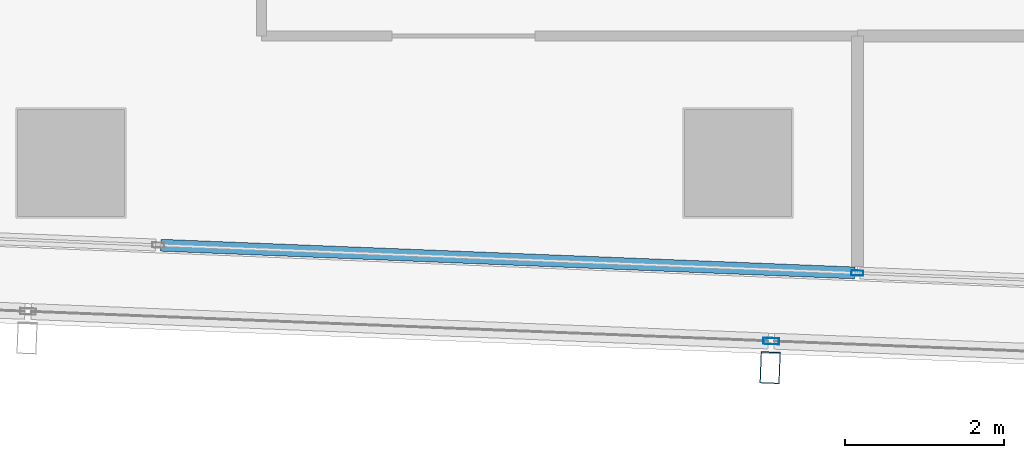
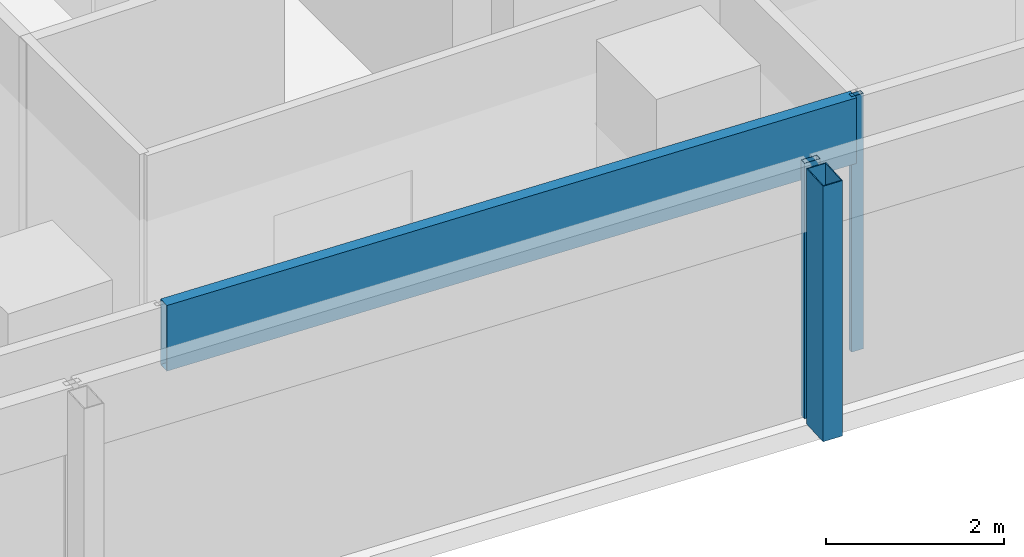
# One storey, part 6 of 35: 4 members, 2 elements without a shape of their own.
"""IFC4 building model written with IfcOpenShell, lengths in metres."""

from ifc_helpers import new_model, si_unit, direction, frame, origin, origin_2d, place, context, subcontext, project, spatial, hollow_rectangle, extrude, material, material_profile, profile_set, type_object, element, aggregate, save


model = new_model("IFC4")

# Units and contexts
model_context = context("Model", 3, precision=1e-05, world=origin(), true_north=direction((0.0, 1.0)))
body_context = subcontext(model_context, "Body", "Model", "MODEL_VIEW")
ifc_project = project(units=[si_unit("LENGTHUNIT", "METRE"), si_unit("AREAUNIT", "SQUARE_METRE"), si_unit("VOLUMEUNIT", "CUBIC_METRE"), si_unit("PLANEANGLEUNIT", "RADIAN"), si_unit("MASSUNIT", "GRAM", prefix="KILO")], contexts=[model_context])

# Site, building, storey
site_placement = place(None, origin())
site = spatial("IfcSite", under=ifc_project, at=site_placement, CompositionType="ELEMENT")
building_placement = place(site_placement, origin())
building = spatial("IfcBuilding", under=site, at=building_placement, Name="Rekha Terrace Tower", CompositionType="ELEMENT")
storey_placement = place(building_placement, frame((0.0, 0.0, 191.449951171875)))
storey = spatial("IfcBuildingStorey", under=building, at=storey_placement, Name="L48", CompositionType="ELEMENT", Elevation=191.449951171875)

# Curtain wall, member
ifc_material_1 = material(Name="Aluminium framing", Category="aluminium")
curtain_wall_type_1 = type_object("IfcCurtainWallType", Name="CW2 double skin outer glazing", PredefinedType="USERDEFINED", material=ifc_material_1)
curtain_wall_1_placement = place(storey_placement, origin())
curtain_wall_1 = element("IfcCurtainWall", 1, at=curtain_wall_1_placement, inside=storey, type_object=curtain_wall_type_1, Name="CW2 double skin outer glazing", ObjectType="DOUBLE SKIN OUTER GLAZING", PredefinedType="USERDEFINED")
ifc_material_2 = material(Name="Steel S355 with fluorocarbon finish", Category="steel")
ifc_material_profile_1 = material_profile(ifc_material_2, hollow_rectangle(XDim=0.25, YDim=0.39990234375, WallThickness=0.012451171875, at=origin_2d()), Name="RHS400x250x12.5")
ifc_profile_set_1 = profile_set([ifc_material_profile_1], Name="Steel S355 with fluorocarbon finish")
member_type_1 = type_object("IfcMemberType", Name="BL1 facade blade RHS 400 x 250", PredefinedType="USERDEFINED", material=ifc_profile_set_1)
member_1_placement = place(storey_placement, frame((25.60498046875, 14.222412109375, 0.0), z_axis=(0.0, 0.0, 1.0), x_axis=(0.999204797763, -0.039871946621, 0.0)))
member_1 = element("IfcMember", 2, at=member_1_placement, type_object=member_type_1, Name="Facade blade", ObjectType="FACADE BLADE", PredefinedType="USERDEFINED", context=body_context, shape_type="SweptSolid", body=[
    extrude(hollow_rectangle(XDim=0.25, YDim=0.39990234375, WallThickness=0.012451171875, at=origin_2d()), origin(), (0.0, 0.0, 1.0), 3.5),
])

# Curtain wall, members
curtain_wall_type_2 = type_object("IfcCurtainWallType", Name="CW1 double skin inner glazing", PredefinedType="USERDEFINED", material=ifc_material_1)
curtain_wall_2_placement = place(storey_placement, origin())
curtain_wall_2 = element("IfcCurtainWall", 3, at=curtain_wall_2_placement, inside=storey, type_object=curtain_wall_type_2, Name="CW1 double skin inner glazing", ObjectType="DOUBLE SKIN INNER GLAZING", PredefinedType="USERDEFINED")
ifc_material_3 = material(Name="Aluminium mullion section", Category="aluminium")
ifc_material_profile_2 = material_profile(ifc_material_3, hollow_rectangle(XDim=0.06494140625, YDim=0.14990234375, WallThickness=0.00390625, at=origin_2d()), Name="AL RHS 65x150")
ifc_profile_set_2 = profile_set([ifc_material_profile_2], Name="Aluminium mullion section")
member_type_2 = type_object("IfcMemberType", Name="CW1 mullion RHS 65 x 150", PredefinedType="MULLION", material=ifc_profile_set_2)
member_2_placement = place(storey_placement, frame((26.703369140625, 15.41455078125, 0.0), z_axis=(0.0, 0.0, 1.0), x_axis=(0.039872497061, 0.999204775798, 0.0)))
member_2 = element("IfcMember", 4, at=member_2_placement, type_object=member_type_2, Name="CW1 mullion 3", PredefinedType="MULLION", context=body_context, shape_type="SweptSolid", body=[
    extrude(hollow_rectangle(XDim=0.06494140625, YDim=0.14990234375, WallThickness=0.00390625, at=origin_2d()), origin(), (0.0, 0.0, 1.0), 3.5),
])
ifc_material_4 = material(Name="Insulated aluminium spandrel box", Category="aluminium")
ifc_material_profile_3 = material_profile(ifc_material_4, hollow_rectangle(XDim=0.14990234375, YDim=0.89990234375, WallThickness=0.0029296875, at=origin_2d()), Name="AL SPANDREL BOX 150x900")
ifc_profile_set_3 = profile_set([ifc_material_profile_3], Name="Insulated aluminium spandrel box")
member_type_3 = type_object("IfcMemberType", Name="CW1 spandrel transom 150 x 900", PredefinedType="USERDEFINED", material=ifc_profile_set_3)
member_3_placement = place(storey_placement, frame((17.931396484375, 15.7646484375, 3.050048828125), z_axis=(0.999205278064, -0.039859908291, 0.0), x_axis=(0.039859908291, 0.999205278064, 0.0)))
member_3 = element("IfcMember", 5, at=member_3_placement, type_object=member_type_3, Name="CW1 spandrel transom 2", ObjectType="TRANSOM", PredefinedType="USERDEFINED", context=body_context, shape_type="SweptSolid", body=[
    extrude(hollow_rectangle(XDim=0.14990234375, YDim=0.89990234375, WallThickness=0.0029296875, at=origin_2d()), origin(), (0.0, 0.0, 1.0), 8.746337890625),
])
aggregate(curtain_wall_2, [member_2, member_3])

# Member
ifc_material_profile_4 = material_profile(ifc_material_3, hollow_rectangle(XDim=0.080078125, YDim=0.199951171875, WallThickness=0.00390625, at=origin_2d()), Name="AL RHS 80x200")
ifc_profile_set_4 = profile_set([ifc_material_profile_4], Name="Aluminium mullion section")
member_type_4 = type_object("IfcMemberType", Name="CW2 mullion RHS 80 x 200", PredefinedType="MULLION", material=ifc_profile_set_4)
member_4_placement = place(storey_placement, frame((25.618408203125, 14.55712890625, 0.0), z_axis=(0.0, 0.0, 1.0), x_axis=(0.039872497044, 0.999204775799, 0.0)))
member_4 = element("IfcMember", 6, at=member_4_placement, type_object=member_type_4, Name="CW2 mullion 3", PredefinedType="MULLION", context=body_context, shape_type="SweptSolid", body=[
    extrude(hollow_rectangle(XDim=0.080078125, YDim=0.199951171875, WallThickness=0.00390625, at=origin_2d()), origin(), (0.0, 0.0, 1.0), 3.5),
])

aggregate(curtain_wall_1, [member_4, member_1])

save(model, "model.ifc")
